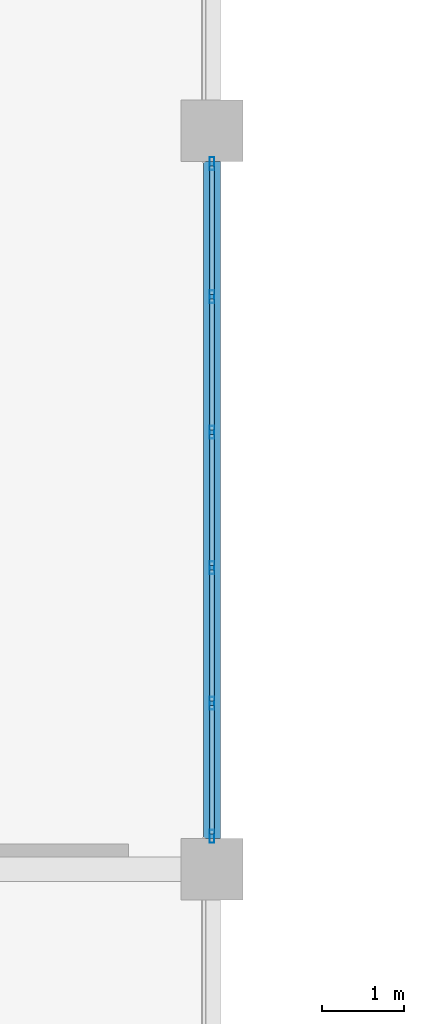
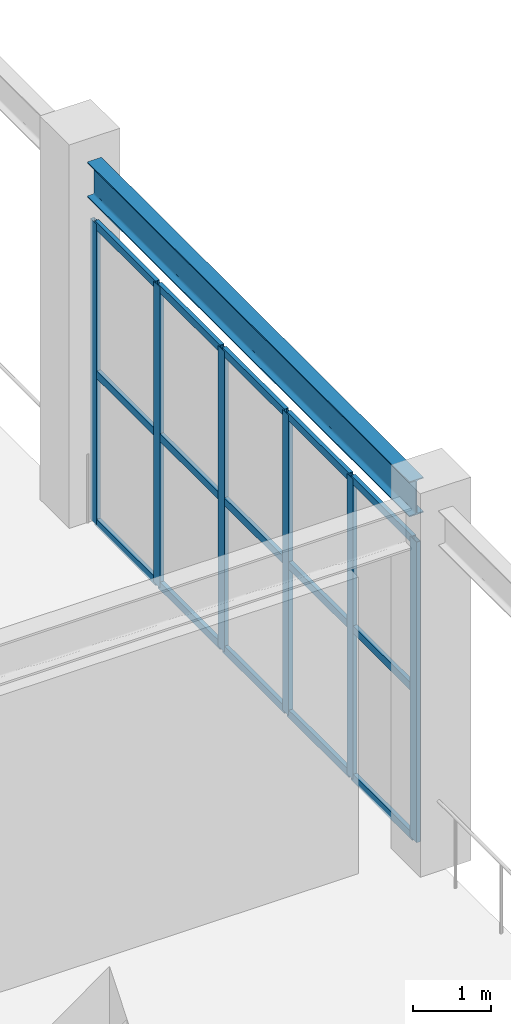
# One storey, part 80 of 223: 21 members, 1 beam, 1 element without a shape of its own.
"""IFC4 building model written with IfcOpenShell, lengths in metres."""

from ifc_helpers import new_model, si_unit, direction, frame, origin, origin_2d, place, context, subcontext, project, spatial, hollow_rectangle, i_section, extrude, material, layer, layer_set, material_profile, profile_set, type_object, element, aggregate, save


model = new_model("IFC4")

# Units and contexts
model_context = context("Model", 3, precision=1e-05, world=origin(), true_north=direction((0.0, 1.0)))
body_context = subcontext(model_context, "Body", "Model", "MODEL_VIEW")
ifc_project = project(units=[si_unit("LENGTHUNIT", "METRE"), si_unit("AREAUNIT", "SQUARE_METRE"), si_unit("VOLUMEUNIT", "CUBIC_METRE"), si_unit("PLANEANGLEUNIT", "RADIAN"), si_unit("MASSUNIT", "GRAM", prefix="KILO")], contexts=[model_context])

# Site, building, storey
site_placement = place(None, origin())
site = spatial("IfcSite", under=ifc_project, at=site_placement, CompositionType="ELEMENT")
building_placement = place(site_placement, origin())
building = spatial("IfcBuilding", under=site, at=building_placement, Name="Dornveld Trade and Exhibition Forum", CompositionType="ELEMENT")
storey_placement = place(building_placement, frame((0.0, 0.0, 6.0)))
storey = spatial("IfcBuildingStorey", under=building, at=storey_placement, Name="L01", CompositionType="ELEMENT", Elevation=6.0)

# Beam
ifc_material_1 = material(Name="Steel S355J2", Category="steel")
ifc_material_profile_1 = material_profile(ifc_material_1, i_section(OverallWidth=0.2099609375, OverallDepth=0.550048828125, WebThickness=0.010986328125, FlangeThickness=0.01708984375, FilletRadius=0.02392578125, at=origin_2d()), Name="IPE 550")
ifc_profile_set_1 = profile_set([ifc_material_profile_1], Name="Steel S355J2")
beam_type = type_object("IfcBeamType", Name="BM-SEC-550", PredefinedType="BEAM", material=ifc_profile_set_1)
beam_placement = place(storey_placement, frame((153.0, 81.37109375, 5.364990234375), z_axis=(0.0, 1.0, 0.0), x_axis=(-1.0, 0.0, 0.0)))
element("IfcBeam", 1, at=beam_placement, inside=storey, type_object=beam_type, Name="L01 Y-girder 1247", PredefinedType="BEAM", context=body_context, shape_type="SweptSolid", body=[
    extrude(i_section(OverallWidth=0.2099609375, OverallDepth=0.550048828125, WebThickness=0.010986328125, FlangeThickness=0.01708984375, FilletRadius=0.02392578125, at=origin_2d()), origin(), (0.0, 0.0, 1.0), 8.2578125),
])

# Curtain wall, members
ifc_material_2 = material(Name="Dark-bronze anodised aluminium and low-E glass", Category="aluminium")
ifc_layer = layer(ifc_material_2, 0.1630859375)
ifc_layer_set = layer_set([ifc_layer], Name="Dark-bronze anodised aluminium and low-E glass")
curtain_wall_type = type_object("IfcCurtainWallType", Name="CW-SYS-07", PredefinedType="USERDEFINED", material=ifc_layer_set)
curtain_wall_placement = place(storey_placement, origin())
curtain_wall = element("IfcCurtainWall", 2, at=curtain_wall_placement, inside=storey, type_object=curtain_wall_type, Name="L01 unitised curtain wall 61", ObjectType="UNITISED_CURTAIN_WALL", PredefinedType="USERDEFINED")
ifc_material_3 = material(Name="Dark-bronze anodised aluminium", Category="aluminium")
ifc_material_profile_2 = material_profile(ifc_material_3, hollow_rectangle(XDim=0.06005859375, YDim=0.159912109375, WallThickness=0.00390625, at=origin_2d()), Name="RHS 160x60x4")
ifc_profile_set_2 = profile_set([ifc_material_profile_2], Name="Dark-bronze anodised aluminium")
member_type_1 = type_object("IfcMemberType", Name="CW-MUL-160", PredefinedType="MULLION", material=ifc_profile_set_2)
member_1_placement = place(storey_placement, frame((153.0, 81.40087890625, -0.00390625), z_axis=(0.0, 0.0, 1.0), x_axis=(-1.0, 0.0, 0.0)))
member_1 = element("IfcMember", 3, at=member_1_placement, type_object=member_type_1, Name="CW-07 mullion 1", PredefinedType="MULLION", context=body_context, shape_type="SweptSolid", body=[
    extrude(hollow_rectangle(XDim=0.06005859375, YDim=0.159912109375, WallThickness=0.00390625, at=origin_2d()), origin(), (0.0, 0.0, 1.0), 4.703857421875),
])
member_2_placement = place(storey_placement, frame((153.0, 83.022705078125, -0.00390625), z_axis=(0.0, 0.0, 1.0), x_axis=(-1.0, 0.0, 0.0)))
member_2 = element("IfcMember", 4, at=member_2_placement, type_object=member_type_1, Name="CW-07 mullion 2", PredefinedType="MULLION", context=body_context, shape_type="SweptSolid", body=[
    extrude(hollow_rectangle(XDim=0.06005859375, YDim=0.159912109375, WallThickness=0.00390625, at=origin_2d()), origin(), (0.0, 0.0, 1.0), 4.703857421875),
])
member_3_placement = place(storey_placement, frame((153.0, 84.67431640625, -0.00390625), z_axis=(0.0, 0.0, 1.0), x_axis=(-1.0, 0.0, 0.0)))
member_3 = element("IfcMember", 5, at=member_3_placement, type_object=member_type_1, Name="CW-07 mullion 3", PredefinedType="MULLION", context=body_context, shape_type="SweptSolid", body=[
    extrude(hollow_rectangle(XDim=0.06005859375, YDim=0.159912109375, WallThickness=0.00390625, at=origin_2d()), origin(), (0.0, 0.0, 1.0), 4.703857421875),
])
member_4_placement = place(storey_placement, frame((153.0, 86.32568359375, -0.00390625), z_axis=(0.0, 0.0, 1.0), x_axis=(-1.0, 0.0, 0.0)))
member_4 = element("IfcMember", 6, at=member_4_placement, type_object=member_type_1, Name="CW-07 mullion 4", PredefinedType="MULLION", context=body_context, shape_type="SweptSolid", body=[
    extrude(hollow_rectangle(XDim=0.06005859375, YDim=0.159912109375, WallThickness=0.00390625, at=origin_2d()), origin(), (0.0, 0.0, 1.0), 4.703857421875),
])
member_5_placement = place(storey_placement, frame((153.0, 87.977294921875, -0.00390625), z_axis=(0.0, 0.0, 1.0), x_axis=(-1.0, 0.0, 0.0)))
member_5 = element("IfcMember", 7, at=member_5_placement, type_object=member_type_1, Name="CW-07 mullion 5", PredefinedType="MULLION", context=body_context, shape_type="SweptSolid", body=[
    extrude(hollow_rectangle(XDim=0.06005859375, YDim=0.159912109375, WallThickness=0.00390625, at=origin_2d()), origin(), (0.0, 0.0, 1.0), 4.703857421875),
])
member_6_placement = place(storey_placement, frame((153.0, 89.59912109375, -0.00390625), z_axis=(0.0, 0.0, 1.0), x_axis=(-1.0, 0.0, 0.0)))
member_6 = element("IfcMember", 8, at=member_6_placement, type_object=member_type_1, Name="CW-07 mullion 6", PredefinedType="MULLION", context=body_context, shape_type="SweptSolid", body=[
    extrude(hollow_rectangle(XDim=0.06005859375, YDim=0.159912109375, WallThickness=0.00390625, at=origin_2d()), origin(), (0.0, 0.0, 1.0), 4.703857421875),
])
ifc_material_4 = material(Name="Dark-bronze anodised aluminium", Category="aluminium")
ifc_material_profile_3 = material_profile(ifc_material_4, hollow_rectangle(XDim=0.06005859375, YDim=0.1201171875, WallThickness=0.00390625, at=origin_2d()), Name="RHS 120x60x4")
ifc_profile_set_3 = profile_set([ifc_material_profile_3], Name="Dark-bronze anodised aluminium")
member_type_2 = type_object("IfcMemberType", Name="CW-TRN-120", PredefinedType="USERDEFINED", material=ifc_profile_set_3)
member_7_placement = place(storey_placement, frame((153.0, 81.430908203125, 0.02587890625), z_axis=(0.0, 1.0, 0.0), x_axis=(-1.0, 0.0, 0.0)))
member_7 = element("IfcMember", 9, at=member_7_placement, type_object=member_type_2, Name="CW-07 transom 1.1", ObjectType="TRANSOM", PredefinedType="USERDEFINED", context=body_context, shape_type="SweptSolid", body=[
    extrude(hollow_rectangle(XDim=0.06005859375, YDim=0.1201171875, WallThickness=0.00390625, at=origin_2d()), origin(), (0.0, 0.0, 1.0), 1.561767578125),
])
member_8_placement = place(storey_placement, frame((153.0, 81.430908203125, 2.347900390625), z_axis=(0.0, 1.0, 0.0), x_axis=(-1.0, 0.0, 0.0)))
member_8 = element("IfcMember", 10, at=member_8_placement, type_object=member_type_2, Name="CW-07 transom 1.2", ObjectType="TRANSOM", PredefinedType="USERDEFINED", context=body_context, shape_type="SweptSolid", body=[
    extrude(hollow_rectangle(XDim=0.06005859375, YDim=0.1201171875, WallThickness=0.00390625, at=origin_2d()), origin(), (0.0, 0.0, 1.0), 1.561767578125),
])
member_9_placement = place(storey_placement, frame((153.0, 81.430908203125, 4.669921875), z_axis=(0.0, 1.0, 0.0), x_axis=(-1.0, 0.0, 0.0)))
member_9 = element("IfcMember", 11, at=member_9_placement, type_object=member_type_2, Name="CW-07 transom 1.3", ObjectType="TRANSOM", PredefinedType="USERDEFINED", context=body_context, shape_type="SweptSolid", body=[
    extrude(hollow_rectangle(XDim=0.06005859375, YDim=0.1201171875, WallThickness=0.00390625, at=origin_2d()), origin(), (0.0, 0.0, 1.0), 1.561767578125),
])
member_10_placement = place(storey_placement, frame((153.0, 83.052490234375, 0.02587890625), z_axis=(0.0, 1.0, 0.0), x_axis=(-1.0, 0.0, 0.0)))
member_10 = element("IfcMember", 12, at=member_10_placement, type_object=member_type_2, Name="CW-07 transom 2.1", ObjectType="TRANSOM", PredefinedType="USERDEFINED", context=body_context, shape_type="SweptSolid", body=[
    extrude(hollow_rectangle(XDim=0.06005859375, YDim=0.1201171875, WallThickness=0.00390625, at=origin_2d()), origin(), (0.0, 0.0, 1.0), 1.591796875),
])
member_11_placement = place(storey_placement, frame((153.0, 83.052490234375, 2.347900390625), z_axis=(0.0, 1.0, 0.0), x_axis=(-1.0, 0.0, 0.0)))
member_11 = element("IfcMember", 13, at=member_11_placement, type_object=member_type_2, Name="CW-07 transom 2.2", ObjectType="TRANSOM", PredefinedType="USERDEFINED", context=body_context, shape_type="SweptSolid", body=[
    extrude(hollow_rectangle(XDim=0.06005859375, YDim=0.1201171875, WallThickness=0.00390625, at=origin_2d()), origin(), (0.0, 0.0, 1.0), 1.591796875),
])
member_12_placement = place(storey_placement, frame((153.0, 83.052490234375, 4.669921875), z_axis=(0.0, 1.0, 0.0), x_axis=(-1.0, 0.0, 0.0)))
member_12 = element("IfcMember", 14, at=member_12_placement, type_object=member_type_2, Name="CW-07 transom 2.3", ObjectType="TRANSOM", PredefinedType="USERDEFINED", context=body_context, shape_type="SweptSolid", body=[
    extrude(hollow_rectangle(XDim=0.06005859375, YDim=0.1201171875, WallThickness=0.00390625, at=origin_2d()), origin(), (0.0, 0.0, 1.0), 1.591796875),
])
member_13_placement = place(storey_placement, frame((153.0, 84.7041015625, 0.02587890625), z_axis=(0.0, 1.0, 0.0), x_axis=(-1.0, 0.0, 0.0)))
member_13 = element("IfcMember", 15, at=member_13_placement, type_object=member_type_2, Name="CW-07 transom 3.1", ObjectType="TRANSOM", PredefinedType="USERDEFINED", context=body_context, shape_type="SweptSolid", body=[
    extrude(hollow_rectangle(XDim=0.06005859375, YDim=0.1201171875, WallThickness=0.00390625, at=origin_2d()), origin(), (0.0, 0.0, 1.0), 1.591796875),
])
member_14_placement = place(storey_placement, frame((153.0, 84.7041015625, 2.347900390625), z_axis=(0.0, 1.0, 0.0), x_axis=(-1.0, 0.0, 0.0)))
member_14 = element("IfcMember", 16, at=member_14_placement, type_object=member_type_2, Name="CW-07 transom 3.2", ObjectType="TRANSOM", PredefinedType="USERDEFINED", context=body_context, shape_type="SweptSolid", body=[
    extrude(hollow_rectangle(XDim=0.06005859375, YDim=0.1201171875, WallThickness=0.00390625, at=origin_2d()), origin(), (0.0, 0.0, 1.0), 1.591796875),
])
member_15_placement = place(storey_placement, frame((153.0, 84.7041015625, 4.669921875), z_axis=(0.0, 1.0, 0.0), x_axis=(-1.0, 0.0, 0.0)))
member_15 = element("IfcMember", 17, at=member_15_placement, type_object=member_type_2, Name="CW-07 transom 3.3", ObjectType="TRANSOM", PredefinedType="USERDEFINED", context=body_context, shape_type="SweptSolid", body=[
    extrude(hollow_rectangle(XDim=0.06005859375, YDim=0.1201171875, WallThickness=0.00390625, at=origin_2d()), origin(), (0.0, 0.0, 1.0), 1.591796875),
])
member_16_placement = place(storey_placement, frame((153.0, 86.355712890625, 0.02587890625), z_axis=(0.0, 1.0, 0.0), x_axis=(-1.0, 0.0, 0.0)))
member_16 = element("IfcMember", 18, at=member_16_placement, type_object=member_type_2, Name="CW-07 transom 4.1", ObjectType="TRANSOM", PredefinedType="USERDEFINED", context=body_context, shape_type="SweptSolid", body=[
    extrude(hollow_rectangle(XDim=0.06005859375, YDim=0.1201171875, WallThickness=0.00390625, at=origin_2d()), origin(), (0.0, 0.0, 1.0), 1.591796875),
])
member_17_placement = place(storey_placement, frame((153.0, 86.355712890625, 2.347900390625), z_axis=(0.0, 1.0, 0.0), x_axis=(-1.0, 0.0, 0.0)))
member_17 = element("IfcMember", 19, at=member_17_placement, type_object=member_type_2, Name="CW-07 transom 4.2", ObjectType="TRANSOM", PredefinedType="USERDEFINED", context=body_context, shape_type="SweptSolid", body=[
    extrude(hollow_rectangle(XDim=0.06005859375, YDim=0.1201171875, WallThickness=0.00390625, at=origin_2d()), origin(), (0.0, 0.0, 1.0), 1.591796875),
])
member_18_placement = place(storey_placement, frame((153.0, 86.355712890625, 4.669921875), z_axis=(0.0, 1.0, 0.0), x_axis=(-1.0, 0.0, 0.0)))
member_18 = element("IfcMember", 20, at=member_18_placement, type_object=member_type_2, Name="CW-07 transom 4.3", ObjectType="TRANSOM", PredefinedType="USERDEFINED", context=body_context, shape_type="SweptSolid", body=[
    extrude(hollow_rectangle(XDim=0.06005859375, YDim=0.1201171875, WallThickness=0.00390625, at=origin_2d()), origin(), (0.0, 0.0, 1.0), 1.591796875),
])
member_19_placement = place(storey_placement, frame((153.0, 88.00732421875, 0.02587890625), z_axis=(0.0, 1.0, 0.0), x_axis=(-1.0, 0.0, 0.0)))
member_19 = element("IfcMember", 21, at=member_19_placement, type_object=member_type_2, Name="CW-07 transom 5.1", ObjectType="TRANSOM", PredefinedType="USERDEFINED", context=body_context, shape_type="SweptSolid", body=[
    extrude(hollow_rectangle(XDim=0.06005859375, YDim=0.1201171875, WallThickness=0.00390625, at=origin_2d()), origin(), (0.0, 0.0, 1.0), 1.561767578125),
])
member_20_placement = place(storey_placement, frame((153.0, 88.00732421875, 2.347900390625), z_axis=(0.0, 1.0, 0.0), x_axis=(-1.0, 0.0, 0.0)))
member_20 = element("IfcMember", 22, at=member_20_placement, type_object=member_type_2, Name="CW-07 transom 5.2", ObjectType="TRANSOM", PredefinedType="USERDEFINED", context=body_context, shape_type="SweptSolid", body=[
    extrude(hollow_rectangle(XDim=0.06005859375, YDim=0.1201171875, WallThickness=0.00390625, at=origin_2d()), origin(), (0.0, 0.0, 1.0), 1.561767578125),
])
member_21_placement = place(storey_placement, frame((153.0, 88.00732421875, 4.669921875), z_axis=(0.0, 1.0, 0.0), x_axis=(-1.0, 0.0, 0.0)))
member_21 = element("IfcMember", 23, at=member_21_placement, type_object=member_type_2, Name="CW-07 transom 5.3", ObjectType="TRANSOM", PredefinedType="USERDEFINED", context=body_context, shape_type="SweptSolid", body=[
    extrude(hollow_rectangle(XDim=0.06005859375, YDim=0.1201171875, WallThickness=0.00390625, at=origin_2d()), origin(), (0.0, 0.0, 1.0), 1.561767578125),
])
aggregate(curtain_wall, [member_1, member_2, member_3, member_4, member_5, member_6, member_7, member_8, member_9, member_10, member_11, member_12, member_13, member_14, member_15, member_16, member_17, member_18, member_19, member_20, member_21])

save(model, "model.ifc")
